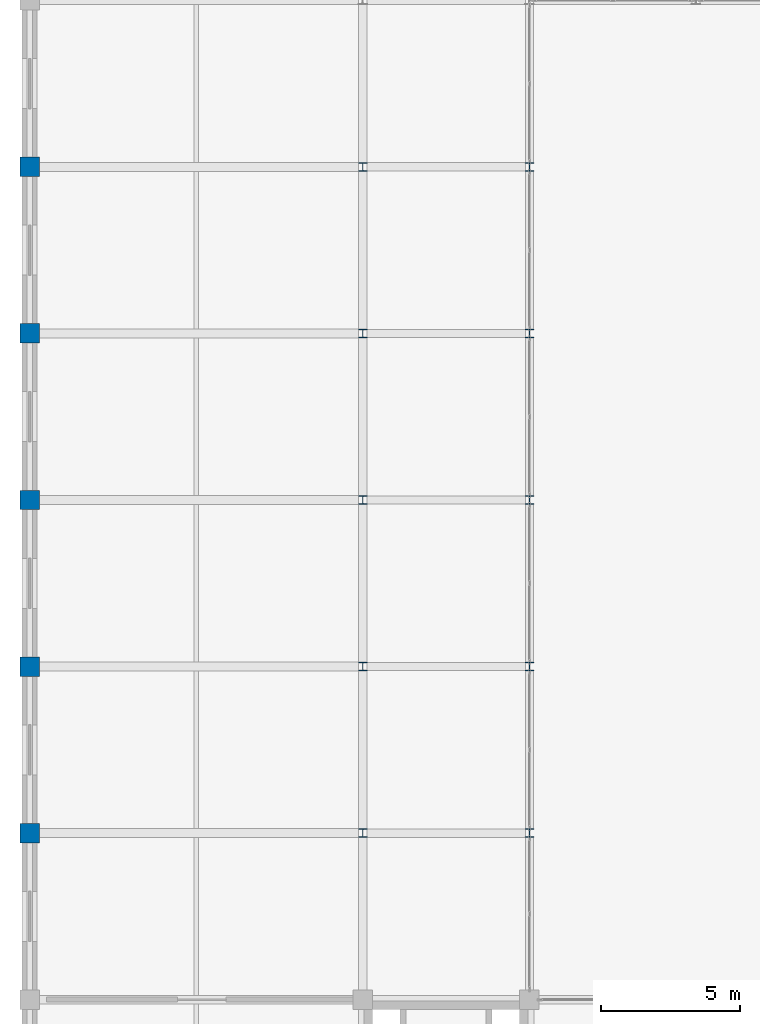
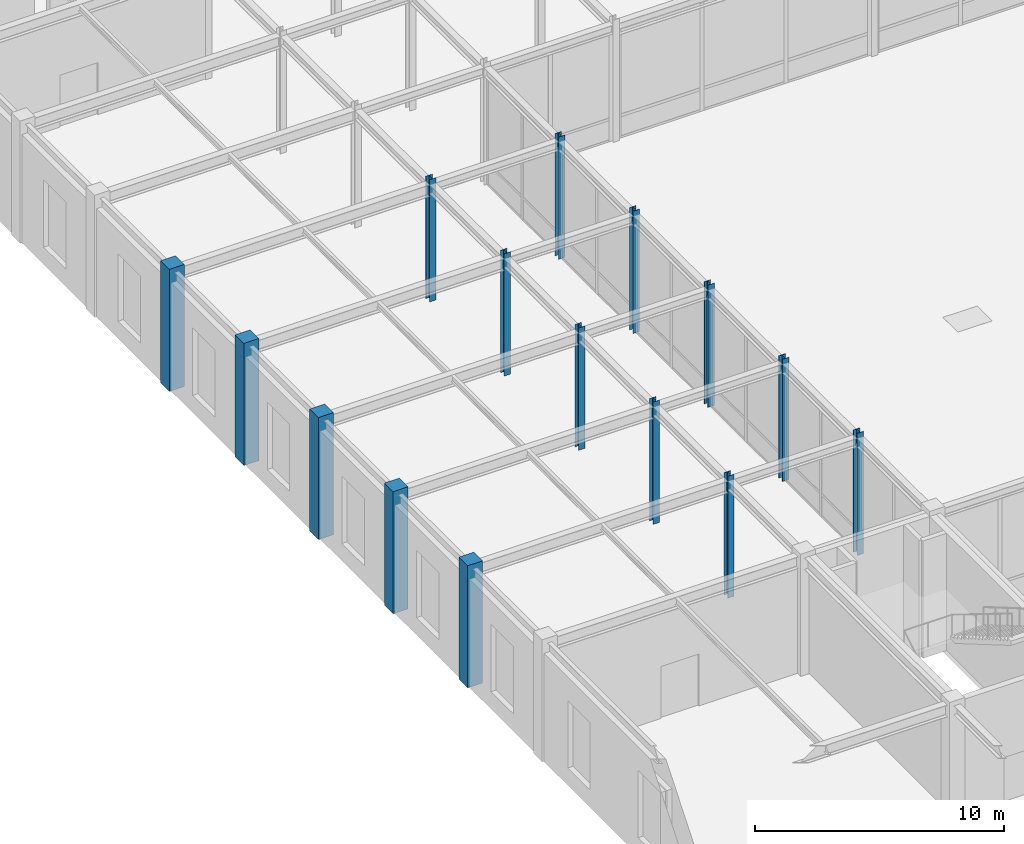
# One storey, part 5 of 108: 15 columns.
"""IFC4 building model written with IfcOpenShell, lengths in metres."""

from ifc_helpers import new_model, si_unit, direction, frame, origin, origin_2d, place, context, subcontext, project, spatial, rectangle, i_section, extrude, material, material_profile, profile_set, type_object, element, save


model = new_model("IFC4")

# Units and contexts
model_context = context("Model", 3, precision=1e-05, world=origin(), true_north=direction((0.0, 1.0)))
body_context = subcontext(model_context, "Body", "Model", "MODEL_VIEW")
ifc_project = project(units=[si_unit("LENGTHUNIT", "METRE"), si_unit("AREAUNIT", "SQUARE_METRE"), si_unit("VOLUMEUNIT", "CUBIC_METRE"), si_unit("PLANEANGLEUNIT", "RADIAN"), si_unit("MASSUNIT", "GRAM", prefix="KILO")], contexts=[model_context])

# Site, building, storey
site_placement = place(None, origin())
site = spatial("IfcSite", under=ifc_project, at=site_placement, CompositionType="ELEMENT")
building_placement = place(site_placement, origin())
building = spatial("IfcBuilding", under=site, at=building_placement, Name="Zlatovratsky Civic Hall", CompositionType="ELEMENT")
storey_placement = place(building_placement, frame((0.0, 0.0, 6.0)))
storey = spatial("IfcBuildingStorey", under=building, at=storey_placement, Name="L02", CompositionType="ELEMENT", Elevation=6.0)

# Columns
ifc_material_1 = material(Name="Concrete C35/45 (B40)", Category="concrete")
ifc_material_profile_1 = material_profile(ifc_material_1, rectangle(XDim=0.699951171875, YDim=0.699951171875, at=origin_2d()), Name="RC 700x700")
ifc_profile_set_1 = profile_set([ifc_material_profile_1], Name="Concrete C35/45 (B40)")
column_type_1 = type_object("IfcColumnType", Name="Col_CorePier_RC700", PredefinedType="COLUMN", material=ifc_profile_set_1)
for number, where, z_axis, x_axis, name in (
    (1, (0.0, 36.0, 0.0), (0.0, 0.0, 1.0), (1.0, 0.0, 0.0), "CL-0902"),
    (2, (0.0, 42.0, 0.0), (0.0, 0.0, 1.0), (1.0, 0.0, 0.0), "CL-0921"),
    (3, (0.0, 48.0, 0.0), (0.0, 0.0, 1.0), (1.0, 0.0, 0.0), "CL-0940"),
    (4, (0.0, 54.0, 0.0), (0.0, 0.0, 1.0), (1.0, 0.0, 0.0), "CL-0959"),
    (5, (0.0, 60.0, 0.0), (0.0, 0.0, 1.0), (1.0, 0.0, 0.0), "CL-0973"),
):
    element("IfcColumn", number, at=place(storey_placement, frame(where, z_axis=z_axis, x_axis=x_axis)), inside=storey, type_object=column_type_1, Name=name, PredefinedType="COLUMN", context=body_context, shape_type="SweptSolid", body=[
        extrude(rectangle(XDim=0.699951171875, YDim=0.699951171875, at=origin_2d()), origin(), (0.0, 0.0, 1.0), 6.0),
    ])
ifc_material_2 = material(Name="Steel S355", Category="steel")
ifc_material_profile_2 = material_profile(ifc_material_2, i_section(OverallWidth=0.300048828125, OverallDepth=0.300048828125, WebThickness=0.010009765625, FlangeThickness=0.014892578125, FilletRadius=0.01806640625, at=origin_2d()), Name="30K2")
ifc_profile_set_2 = profile_set([ifc_material_profile_2], Name="Steel S355")
column_type_2 = type_object("IfcColumnType", Name="Col_Steel_30K2", PredefinedType="COLUMN", material=ifc_profile_set_2)
for number, where, z_axis, x_axis, name in (
    (6, (12.0, 36.0, 0.0), (0.0, 0.0, 1.0), (1.0, 0.0, 0.0), "CL-0903"),
    (7, (18.0, 36.0, 0.0), (0.0, 0.0, 1.0), (1.0, 0.0, 0.0), "CL-0904"),
    (8, (12.0, 42.0, 0.0), (0.0, 0.0, 1.0), (1.0, 0.0, 0.0), "CL-0922"),
    (9, (18.0, 42.0, 0.0), (0.0, 0.0, 1.0), (1.0, 0.0, 0.0), "CL-0923"),
    (10, (12.0, 48.0, 0.0), (0.0, 0.0, 1.0), (1.0, 0.0, 0.0), "CL-0941"),
    (11, (18.0, 48.0, 0.0), (0.0, 0.0, 1.0), (1.0, 0.0, 0.0), "CL-0942"),
    (12, (12.0, 54.0, 0.0), (0.0, 0.0, 1.0), (1.0, 0.0, 0.0), "CL-0960"),
    (13, (18.0, 54.0, 0.0), (0.0, 0.0, 1.0), (1.0, 0.0, 0.0), "CL-0961"),
    (14, (12.0, 60.0, 0.0), (0.0, 0.0, 1.0), (1.0, 0.0, 0.0), "CL-0974"),
    (15, (18.0, 60.0, 0.0), (0.0, 0.0, 1.0), (1.0, 0.0, 0.0), "CL-0975"),
):
    element("IfcColumn", number, at=place(storey_placement, frame(where, z_axis=z_axis, x_axis=x_axis)), inside=storey, type_object=column_type_2, Name=name, PredefinedType="COLUMN", context=body_context, shape_type="SweptSolid", body=[
        extrude(i_section(OverallWidth=0.300048828125, OverallDepth=0.300048828125, WebThickness=0.010009765625, FlangeThickness=0.014892578125, FilletRadius=0.01806640625, at=origin_2d()), origin(), (0.0, 0.0, 1.0), 6.0),
    ])

save(model, "model.ifc")
